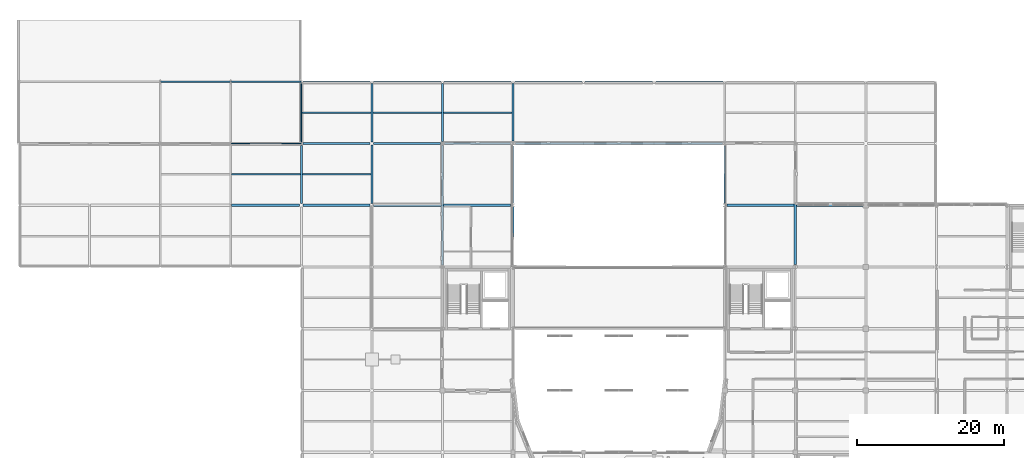
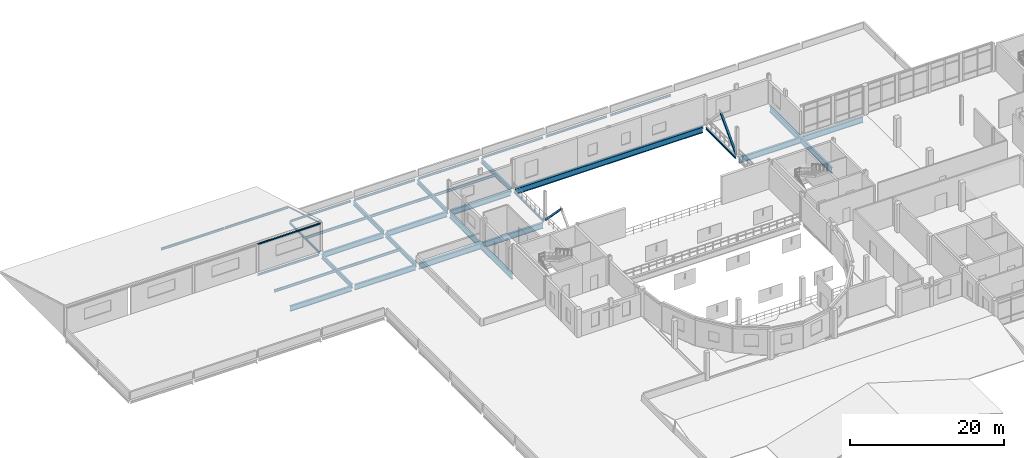
# One storey, part 16 of 52: 33 beams, 3 members.
"""IFC4 building model written with IfcOpenShell, lengths in metres."""

from ifc_helpers import new_model, si_unit, direction, frame, origin, origin_2d, place, context, subcontext, project, spatial, hollow_rectangle, i_section, extrude, material, material_profile, profile_set, type_object, element, save


model = new_model("IFC4")

# Units and contexts
model_context = context("Model", 3, precision=1e-05, world=origin(), true_north=direction((0.0, 1.0)))
body_context = subcontext(model_context, "Body", "Model", "MODEL_VIEW")
ifc_project = project(units=[si_unit("LENGTHUNIT", "METRE"), si_unit("AREAUNIT", "SQUARE_METRE"), si_unit("VOLUMEUNIT", "CUBIC_METRE"), si_unit("PLANEANGLEUNIT", "RADIAN"), si_unit("MASSUNIT", "GRAM", prefix="KILO")], contexts=[model_context])

# Site, building, storey
site_placement = place(None, origin())
site = spatial("IfcSite", under=ifc_project, at=site_placement, CompositionType="ELEMENT")
building_placement = place(site_placement, origin())
building = spatial("IfcBuilding", under=site, at=building_placement, Name="Lornevale Opera House", CompositionType="ELEMENT")
storey_placement = place(building_placement, frame((0.0, 0.0, 15.0)))
storey = spatial("IfcBuildingStorey", under=building, at=storey_placement, Name="L04", CompositionType="ELEMENT", Elevation=15.0)

# Beams
ifc_material = material(Name="Structural Steel CSA G40.21 Grade 350W (350 MPa)", Category="steel")
ifc_material_profile_1 = material_profile(ifc_material, i_section(OverallWidth=0.1650390625, OverallDepth=0.200927734375, WebThickness=0.006103515625, FlangeThickness=0.01025390625, at=origin_2d()), Name="W200x36")
ifc_profile_set_1 = profile_set([ifc_material_profile_1], Name="Structural Steel CSA G40.21 Grade 350W (350 MPa)")
beam_type_1 = type_object("IfcBeamType", Name="Monopitch Studio Purlin W200x36", PredefinedType="JOIST", material=ifc_profile_set_1)
beam_1_placement = place(storey_placement, frame((28.85009765625, 84.0, 4.397216796875), z_axis=(1.0, 0.0, 0.0), x_axis=(0.0, 1.0, 0.0)))
element("IfcBeam", 1, at=beam_1_placement, inside=storey, type_object=beam_type_1, Name="Monopitch Studio Purlin W200x36 3028", PredefinedType="JOIST", context=body_context, shape_type="SweptSolid", body=[
    extrude(i_section(OverallWidth=0.1650390625, OverallDepth=0.200927734375, WebThickness=0.006103515625, FlangeThickness=0.01025390625, at=origin_2d()), origin(), (0.0, 0.0, 1.0), 9.5),
])
ifc_material_profile_2 = material_profile(ifc_material, i_section(OverallWidth=0.202880859375, OverallDepth=0.346923828125, WebThickness=0.0078125, FlangeThickness=0.013427734375, at=origin_2d()), Name="W360x64")
ifc_profile_set_2 = profile_set([ifc_material_profile_2], Name="Structural Steel CSA G40.21 Grade 350W (350 MPa)")
beam_type_2 = type_object("IfcBeamType", Name="Monopitch Studio Truss Chord W360x64", PredefinedType="BEAM", material=ifc_profile_set_2)
for number, where, z_axis, x_axis, name in (
    (2, (19.25, 92.39990234375, 1.8798828125), (1.0, 0.0, 0.0), (0.0, 1.0, 0.0), "Monopitch Studio Truss Chord W360x64 3025"),
    (3, (28.85009765625, 92.39990234375, 1.8798828125), (1.0, 0.0, 0.0), (0.0, 1.0, 0.0), "Monopitch Studio Truss Chord W360x64 3027"),
):
    element("IfcBeam", number, at=place(storey_placement, frame(where, z_axis=z_axis, x_axis=x_axis)), inside=storey, type_object=beam_type_2, Name=name, PredefinedType="BEAM", context=body_context, shape_type="SweptSolid", body=[
        extrude(i_section(OverallWidth=0.202880859375, OverallDepth=0.346923828125, WebThickness=0.0078125, FlangeThickness=0.013427734375, at=origin_2d()), origin(), (0.0, 0.0, 1.0), 9.5),
    ])

# Members
ifc_material_profile_3 = material_profile(ifc_material, hollow_rectangle(XDim=0.25390625, YDim=0.25390625, WallThickness=0.0126953125, at=origin_2d()), Name="HSS254x254x13")
ifc_profile_set_3 = profile_set([ifc_material_profile_3], Name="Structural Steel CSA G40.21 Grade 350W (350 MPa)")
member_type_1 = type_object("IfcMemberType", Name="Stagehouse Lateral Brace HSS254x254x13", PredefinedType="BRACE", material=ifc_profile_set_3)
member_1_placement = place(storey_placement, frame((67.199951171875, 75.400390625, 0.10009765625), z_axis=(0.0, -0.69576509682, 0.718269399353), x_axis=(1.0, 0.0, 0.0)))
element("IfcMember", 4, at=member_1_placement, inside=storey, type_object=member_type_1, Name="Stagehouse Lateral Brace HSS254x254x13 0111", PredefinedType="BRACE", context=body_context, shape_type="SweptSolid", body=[
    extrude(hollow_rectangle(XDim=0.25390625, YDim=0.25390625, WallThickness=0.0126953125, at=origin_2d()), origin(), (0.0, 0.0, 1.0), 5.749755859375),
])
member_2_placement = place(storey_placement, frame((96.0, 75.799560546875, 0.10009765625), z_axis=(0.0, 0.691429558906, 0.722443883683), x_axis=(-1.0, 0.0, 0.0)))
element("IfcMember", 5, at=member_2_placement, inside=storey, type_object=member_type_1, Name="Stagehouse Lateral Brace HSS254x254x13 0122", PredefinedType="BRACE", context=body_context, shape_type="SweptSolid", body=[
    extrude(hollow_rectangle(XDim=0.25390625, YDim=0.25390625, WallThickness=0.0126953125, at=origin_2d()), origin(), (0.0, 0.0, 1.0), 5.785888671875),
])

# Beams
ifc_material_profile_4 = material_profile(ifc_material, i_section(OverallWidth=0.299072265625, OverallDepth=0.845947265625, WebThickness=0.015380859375, FlangeThickness=0.0244140625, at=origin_2d()), Name="W840x210")
ifc_profile_set_4 = profile_set([ifc_material_profile_4], Name="Structural Steel CSA G40.21 Grade 350W (350 MPa)")
beam_type_3 = type_object("IfcBeamType", Name="Steel Clear-Span Girder W840x210", PredefinedType="USERDEFINED", material=ifc_profile_set_4)
beam_2_placement = place(storey_placement, frame((28.904541015625, 75.60009765625, -0.72802734375), z_axis=(1.0, 0.0, 0.0), x_axis=(0.0, 1.0, 0.0)))
element("IfcBeam", 6, at=beam_2_placement, inside=storey, type_object=beam_type_3, Name="Steel Clear-Span Girder W840x210 2534", ObjectType="GIRDER", PredefinedType="USERDEFINED", context=body_context, shape_type="SweptSolid", body=[
    extrude(i_section(OverallWidth=0.299072265625, OverallDepth=0.845947265625, WebThickness=0.015380859375, FlangeThickness=0.0244140625, at=origin_2d()), origin(), (0.0, 0.0, 1.0), 9.2705078125),
])
for number, where, z_axis, x_axis, name in (
    (7, (38.625, 75.60009765625, -0.72802734375), (1.0, 0.0, 0.0), (0.0, 1.0, 0.0), "Steel Clear-Span Girder W840x210 2535"),
    (8, (38.64990234375, 84.0, -0.72802734375), (1.0, 0.0, 0.0), (0.0, 1.0, 0.0), "Steel Clear-Span Girder W840x210 2544"),
):
    element("IfcBeam", number, at=place(storey_placement, frame(where, z_axis=z_axis, x_axis=x_axis)), inside=storey, type_object=beam_type_3, Name=name, ObjectType="GIRDER", PredefinedType="USERDEFINED", context=body_context, shape_type="SweptSolid", body=[
        extrude(i_section(OverallWidth=0.299072265625, OverallDepth=0.845947265625, WebThickness=0.015380859375, FlangeThickness=0.0244140625, at=origin_2d()), origin(), (0.0, 0.0, 1.0), 9.125),
    ])
beam_3_placement = place(storey_placement, frame((48.22509765625, 84.0, -0.72802734375), z_axis=(1.0, 0.0, 0.0), x_axis=(0.0, 1.0, 0.0)))
element("IfcBeam", 9, at=beam_3_placement, inside=storey, type_object=beam_type_3, Name="Steel Clear-Span Girder W840x210 2545", ObjectType="GIRDER", PredefinedType="USERDEFINED", context=body_context, shape_type="SweptSolid", body=[
    extrude(i_section(OverallWidth=0.299072265625, OverallDepth=0.845947265625, WebThickness=0.015380859375, FlangeThickness=0.0244140625, at=origin_2d()), origin(), (0.0, 0.0, 1.0), 9.099853515625),
])
beam_4_placement = place(storey_placement, frame((57.875, 84.0, -0.72802734375), z_axis=(1.0, 0.0, 0.0), x_axis=(0.0, 1.0, 0.0)))
element("IfcBeam", 10, at=beam_4_placement, inside=storey, type_object=beam_type_3, Name="Steel Clear-Span Girder W840x210 2546", ObjectType="GIRDER", PredefinedType="USERDEFINED", context=body_context, shape_type="SweptSolid", body=[
    extrude(i_section(OverallWidth=0.299072265625, OverallDepth=0.845947265625, WebThickness=0.015380859375, FlangeThickness=0.0244140625, at=origin_2d()), origin(), (0.0, 0.0, 1.0), 9.0),
])
ifc_material_profile_5 = material_profile(ifc_material, i_section(OverallWidth=0.179931640625, OverallDepth=0.4130859375, WebThickness=0.009765625, FlangeThickness=0.01611328125, at=origin_2d()), Name="W410x74")
ifc_profile_set_5 = profile_set([ifc_material_profile_5], Name="Structural Steel CSA G40.21 Grade 350W (350 MPa)")
beam_type_4 = type_object("IfcBeamType", Name="Steel Floor Joist W410x74", PredefinedType="JOIST", material=ifc_profile_set_5)
for number, where, z_axis, x_axis, name in (
    (11, (28.927001953125, 79.800048828125, -0.511474609375), (1.0, 0.0, 0.0), (0.0, 1.0, 0.0), "Steel Floor Joist W410x74 2662"),
    (12, (38.527099609375, 79.800048828125, -0.511474609375), (1.0, 0.0, 0.0), (0.0, 1.0, 0.0), "Steel Floor Joist W410x74 2670"),
):
    element("IfcBeam", number, at=place(storey_placement, frame(where, z_axis=z_axis, x_axis=x_axis)), inside=storey, type_object=beam_type_4, Name=name, PredefinedType="JOIST", context=body_context, shape_type="SweptSolid", body=[
        extrude(i_section(OverallWidth=0.179931640625, OverallDepth=0.4130859375, WebThickness=0.009765625, FlangeThickness=0.01611328125, at=origin_2d()), origin(), (0.0, 0.0, 1.0), 9.345947265625),
    ])
beam_5_placement = place(storey_placement, frame((38.4833984375, 88.199951171875, -0.511474609375), z_axis=(1.0, 0.0, 0.0), x_axis=(0.0, 1.0, 0.0)))
element("IfcBeam", 13, at=beam_5_placement, inside=storey, type_object=beam_type_4, Name="Steel Floor Joist W410x74 2671", PredefinedType="JOIST", context=body_context, shape_type="SweptSolid", body=[
    extrude(i_section(OverallWidth=0.179931640625, OverallDepth=0.4130859375, WebThickness=0.009765625, FlangeThickness=0.01611328125, at=origin_2d()), origin(), (0.0, 0.0, 1.0), 9.3896484375),
])
for number, where, z_axis, x_axis, name in (
    (14, (48.126953125, 88.199951171875, -0.511474609375), (1.0, 0.0, 0.0), (0.0, 1.0, 0.0), "Steel Floor Joist W410x74 2677"),
    (15, (57.72705078125, 88.199951171875, -0.511474609375), (1.0, 0.0, 0.0), (0.0, 1.0, 0.0), "Steel Floor Joist W410x74 2681"),
):
    element("IfcBeam", number, at=place(storey_placement, frame(where, z_axis=z_axis, x_axis=x_axis)), inside=storey, type_object=beam_type_4, Name=name, PredefinedType="JOIST", context=body_context, shape_type="SweptSolid", body=[
        extrude(i_section(OverallWidth=0.179931640625, OverallDepth=0.4130859375, WebThickness=0.009765625, FlangeThickness=0.01611328125, at=origin_2d()), origin(), (0.0, 0.0, 1.0), 9.345947265625),
    ])
ifc_material_profile_6 = material_profile(ifc_material, i_section(OverallWidth=0.25390625, OverallDepth=0.68798828125, WebThickness=0.01318359375, FlangeThickness=0.02099609375, at=origin_2d()), Name="W690x152")
ifc_profile_set_6 = profile_set([ifc_material_profile_6], Name="Structural Steel CSA G40.21 Grade 350W (350 MPa)")
beam_type_5 = type_object("IfcBeamType", Name="Steel Foyer Beam W690x152", PredefinedType="USERDEFINED", material=ifc_profile_set_6)
beam_6_placement = place(storey_placement, frame((38.39990234375, 75.824951171875, -0.64892578125), z_axis=(0.0, 1.0, 0.0), x_axis=(-1.0, 0.0, 0.0)))
element("IfcBeam", 16, at=beam_6_placement, inside=storey, type_object=beam_type_5, Name="Steel Foyer Beam W690x152 2578", ObjectType="GIRDER", PredefinedType="USERDEFINED", context=body_context, shape_type="SweptSolid", body=[
    extrude(i_section(OverallWidth=0.25390625, OverallDepth=0.68798828125, WebThickness=0.01318359375, FlangeThickness=0.02099609375, at=origin_2d()), origin(), (0.0, 0.0, 1.0), 7.925048828125),
])
for number, where, z_axis, x_axis, name in (
    (17, (48.0, 75.85009765625, -0.64892578125), (0.0, 1.0, 0.0), (-1.0, 0.0, 0.0), "Steel Foyer Beam W690x152 2587"),
    (18, (48.0, 84.22509765625, -0.64892578125), (0.0, 1.0, 0.0), (-1.0, 0.0, 0.0), "Steel Foyer Beam W690x152 2588"),
):
    element("IfcBeam", number, at=place(storey_placement, frame(where, z_axis=z_axis, x_axis=x_axis)), inside=storey, type_object=beam_type_5, Name=name, ObjectType="GIRDER", PredefinedType="USERDEFINED", context=body_context, shape_type="SweptSolid", body=[
        extrude(i_section(OverallWidth=0.25390625, OverallDepth=0.68798828125, WebThickness=0.01318359375, FlangeThickness=0.02099609375, at=origin_2d()), origin(), (0.0, 0.0, 1.0), 7.9248046875),
    ])
beam_7_placement = place(storey_placement, frame((57.60009765625, 84.27490234375, -0.64892578125), z_axis=(0.0, 1.0, 0.0), x_axis=(-1.0, 0.0, 0.0)))
element("IfcBeam", 19, at=beam_7_placement, inside=storey, type_object=beam_type_5, Name="Steel Foyer Beam W690x152 2596", ObjectType="GIRDER", PredefinedType="USERDEFINED", context=body_context, shape_type="SweptSolid", body=[
    extrude(i_section(OverallWidth=0.25390625, OverallDepth=0.68798828125, WebThickness=0.01318359375, FlangeThickness=0.02099609375, at=origin_2d()), origin(), (0.0, 0.0, 1.0), 7.900146484375),
])
beam_8_placement = place(storey_placement, frame((67.199951171875, 84.324951171875, -0.64892578125), z_axis=(0.0, 1.0, 0.0), x_axis=(-1.0, 0.0, 0.0)))
element("IfcBeam", 20, at=beam_8_placement, inside=storey, type_object=beam_type_5, Name="Steel Foyer Beam W690x152 2603", ObjectType="GIRDER", PredefinedType="USERDEFINED", context=body_context, shape_type="SweptSolid", body=[
    extrude(i_section(OverallWidth=0.25390625, OverallDepth=0.68798828125, WebThickness=0.01318359375, FlangeThickness=0.02099609375, at=origin_2d()), origin(), (0.0, 0.0, 1.0), 7.824951171875),
])
ifc_material_profile_7 = material_profile(ifc_material, i_section(OverallWidth=0.1669921875, OverallDepth=0.31689453125, WebThickness=0.007568359375, FlangeThickness=0.01318359375, at=origin_2d()), Name="W310x52")
ifc_profile_set_7 = profile_set([ifc_material_profile_7], Name="Structural Steel CSA G40.21 Grade 350W (350 MPa)")
beam_type_6 = type_object("IfcBeamType", Name="Steel Spandrel Beam W310x52", PredefinedType="SPANDREL", material=ifc_profile_set_7)
beam_9_placement = place(storey_placement, frame((28.904541015625, 84.0, -0.46337890625), z_axis=(1.0, 0.0, 0.0), x_axis=(0.0, 1.0, 0.0)))
element("IfcBeam", 21, at=beam_9_placement, inside=storey, type_object=beam_type_6, Name="Steel Spandrel Beam W310x52 2543", PredefinedType="SPANDREL", context=body_context, shape_type="SweptSolid", body=[
    extrude(i_section(OverallWidth=0.1669921875, OverallDepth=0.31689453125, WebThickness=0.007568359375, FlangeThickness=0.01318359375, at=origin_2d()), origin(), (0.0, 0.0, 1.0), 9.245361328125),
])
for number, where, z_axis, x_axis, name in (
    (22, (38.625, 92.39990234375, -0.46337890625), (1.0, 0.0, 0.0), (0.0, 1.0, 0.0), "Steel Spandrel Beam W310x52 2551"),
    (23, (48.25, 92.39990234375, -0.46337890625), (1.0, 0.0, 0.0), (0.0, 1.0, 0.0), "Steel Spandrel Beam W310x52 2552"),
    (24, (57.824951171875, 92.39990234375, -0.46337890625), (1.0, 0.0, 0.0), (0.0, 1.0, 0.0), "Steel Spandrel Beam W310x52 2553"),
    (25, (67.449951171875, 92.39990234375, -0.46337890625), (1.0, 0.0, 0.0), (0.0, 1.0, 0.0), "Steel Spandrel Beam W310x52 2554"),
    (26, (77.02490234375, 92.39990234375, -0.46337890625), (1.0, 0.0, 0.0), (0.0, 1.0, 0.0), "Steel Spandrel Beam W310x52 2555"),
    (27, (86.64990234375, 92.39990234375, -0.46337890625), (1.0, 0.0, 0.0), (0.0, 1.0, 0.0), "Steel Spandrel Beam W310x52 2556"),
):
    element("IfcBeam", number, at=place(storey_placement, frame(where, z_axis=z_axis, x_axis=x_axis)), inside=storey, type_object=beam_type_6, Name=name, PredefinedType="SPANDREL", context=body_context, shape_type="SweptSolid", body=[
        extrude(i_section(OverallWidth=0.1669921875, OverallDepth=0.31689453125, WebThickness=0.007568359375, FlangeThickness=0.01318359375, at=origin_2d()), origin(), (0.0, 0.0, 1.0), 9.125),
    ])
beam_10_placement = place(storey_placement, frame((38.39990234375, 84.25, -0.46337890625), z_axis=(0.0, 1.0, 0.0), x_axis=(-1.0, 0.0, 0.0)))
element("IfcBeam", 28, at=beam_10_placement, inside=storey, type_object=beam_type_6, Name="Steel Spandrel Beam W310x52 2579", PredefinedType="SPANDREL", context=body_context, shape_type="SweptSolid", body=[
    extrude(i_section(OverallWidth=0.1669921875, OverallDepth=0.31689453125, WebThickness=0.007568359375, FlangeThickness=0.01318359375, at=origin_2d()), origin(), (0.0, 0.0, 1.0), 7.925048828125),
])
for number, where, z_axis, x_axis, name in (
    (29, (67.199951171875, 75.925048828125, -0.46337890625), (0.0, 1.0, 0.0), (-1.0, 0.0, 0.0), "Steel Spandrel Beam W310x52 2602"),
    (30, (96.0, 75.925048828125, -0.46337890625), (0.0, 1.0, 0.0), (-1.0, 0.0, 0.0), "Steel Spandrel Beam W310x52 2611"),
):
    element("IfcBeam", number, at=place(storey_placement, frame(where, z_axis=z_axis, x_axis=x_axis)), inside=storey, type_object=beam_type_6, Name=name, PredefinedType="SPANDREL", context=body_context, shape_type="SweptSolid", body=[
        extrude(i_section(OverallWidth=0.1669921875, OverallDepth=0.31689453125, WebThickness=0.007568359375, FlangeThickness=0.01318359375, at=origin_2d()), origin(), (0.0, 0.0, 1.0), 7.75),
    ])
ifc_material_profile_8 = material_profile(ifc_material, i_section(OverallWidth=0.305908203125, OverallDepth=0.9189453125, WebThickness=0.017333984375, FlangeThickness=0.02783203125, at=origin_2d()), Name="W920x253")
ifc_profile_set_8 = profile_set([ifc_material_profile_8], Name="Structural Steel CSA G40.21 Grade 350W (350 MPa)")
beam_type_7 = type_object("IfcBeamType", Name="Steel Stagehouse Girder W920x253", PredefinedType="USERDEFINED", material=ifc_profile_set_8)
beam_11_placement = place(storey_placement, frame((48.25, 75.60009765625, -0.764404296875), z_axis=(1.0, 0.0, 0.0), x_axis=(0.0, 1.0, 0.0)))
element("IfcBeam", 31, at=beam_11_placement, inside=storey, type_object=beam_type_7, Name="Steel Stagehouse Girder W920x253 2536", ObjectType="GIRDER", PredefinedType="USERDEFINED", context=body_context, shape_type="SweptSolid", body=[
    extrude(i_section(OverallWidth=0.305908203125, OverallDepth=0.9189453125, WebThickness=0.017333984375, FlangeThickness=0.02783203125, at=origin_2d()), origin(), (0.0, 0.0, 1.0), 18.625),
])
beam_12_placement = place(storey_placement, frame((96.324951171875, 75.60009765625, -0.764404296875), z_axis=(1.0, 0.0, 0.0), x_axis=(0.0, 1.0, 0.0)))
element("IfcBeam", 32, at=beam_12_placement, inside=storey, type_object=beam_type_7, Name="Steel Stagehouse Girder W920x253 2537", ObjectType="GIRDER", PredefinedType="USERDEFINED", context=body_context, shape_type="SweptSolid", body=[
    extrude(i_section(OverallWidth=0.305908203125, OverallDepth=0.9189453125, WebThickness=0.017333984375, FlangeThickness=0.02783203125, at=origin_2d()), origin(), (0.0, 0.0, 1.0), 18.550048828125),
])
beam_13_placement = place(storey_placement, frame((67.52490234375, 84.0, -0.764404296875), z_axis=(1.0, 0.0, 0.0), x_axis=(0.0, 1.0, 0.0)))
element("IfcBeam", 33, at=beam_13_placement, inside=storey, type_object=beam_type_7, Name="Steel Stagehouse Girder W920x253 2547", ObjectType="GIRDER", PredefinedType="USERDEFINED", context=body_context, shape_type="SweptSolid", body=[
    extrude(i_section(OverallWidth=0.305908203125, OverallDepth=0.9189453125, WebThickness=0.017333984375, FlangeThickness=0.02783203125, at=origin_2d()), origin(), (0.0, 0.0, 1.0), 28.150146484375),
])
beam_14_placement = place(storey_placement, frame((57.60009765625, 67.5, -0.764404296875), z_axis=(0.0, 1.0, 0.0), x_axis=(-1.0, 0.0, 0.0)))
element("IfcBeam", 34, at=beam_14_placement, inside=storey, type_object=beam_type_7, Name="Steel Stagehouse Girder W920x253 2595", ObjectType="GIRDER", PredefinedType="USERDEFINED", context=body_context, shape_type="SweptSolid", body=[
    extrude(i_section(OverallWidth=0.305908203125, OverallDepth=0.9189453125, WebThickness=0.017333984375, FlangeThickness=0.02783203125, at=origin_2d()), origin(), (0.0, 0.0, 1.0), 16.22509765625),
])
beam_15_placement = place(storey_placement, frame((105.60009765625, 67.52490234375, -0.764404296875), z_axis=(0.0, 1.0, 0.0), x_axis=(-1.0, 0.0, 0.0)))
element("IfcBeam", 35, at=beam_15_placement, inside=storey, type_object=beam_type_7, Name="Steel Stagehouse Girder W920x253 2619", ObjectType="GIRDER", PredefinedType="USERDEFINED", context=body_context, shape_type="SweptSolid", body=[
    extrude(i_section(OverallWidth=0.305908203125, OverallDepth=0.9189453125, WebThickness=0.017333984375, FlangeThickness=0.02783203125, at=origin_2d()), origin(), (0.0, 0.0, 1.0), 16.150146484375),
])

# Member
ifc_material_profile_9 = material_profile(ifc_material, hollow_rectangle(XDim=0.152099609375, YDim=0.152099609375, WallThickness=0.009521484375, at=origin_2d()), Name="HSS152x152x10")
ifc_profile_set_9 = profile_set([ifc_material_profile_9], Name="Structural Steel CSA G40.21 Grade 350W (350 MPa)")
member_type_2 = type_object("IfcMemberType", Name="Studio Truss Web HSS152x152x10", PredefinedType="STRUT", material=ifc_profile_set_9)
member_3_placement = place(storey_placement, frame((38.39990234375, 92.39990234375, 1.8798828125), z_axis=(0.0, -0.957909003229, 0.287072014541), x_axis=(1.0, 0.0, 0.0)))
element("IfcMember", 36, at=member_3_placement, inside=storey, type_object=member_type_2, Name="Studio Truss Web HSS152x152x10 0103", PredefinedType="STRUT", context=body_context, shape_type="SweptSolid", body=[
    extrude(hollow_rectangle(XDim=0.152099609375, YDim=0.152099609375, WallThickness=0.009521484375, at=origin_2d()), origin(), (0.0, 0.0, 1.0), 8.76904296875),
])

save(model, "model.ifc")
